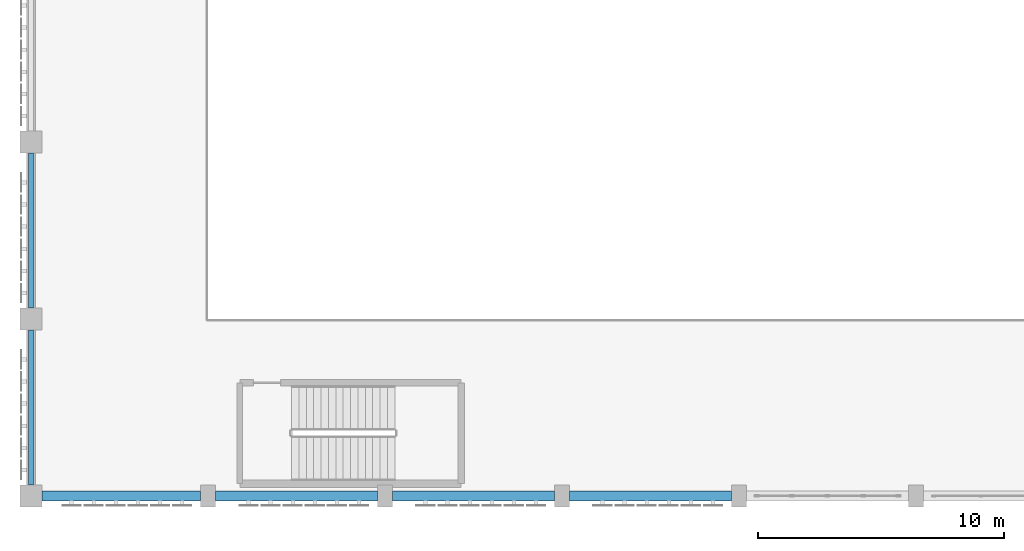
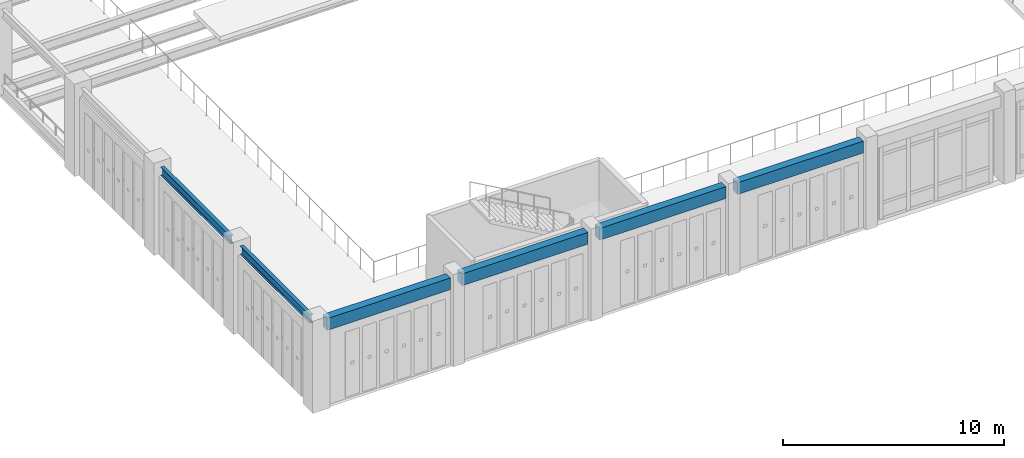
# One storey, part 13 of 117: 6 beams.
"""IFC4 building model written with IfcOpenShell, lengths in metres."""

from ifc_helpers import new_model, si_unit, direction, frame, origin, origin_2d, place, context, subcontext, project, spatial, rectangle, i_section, extrude, material, material_profile, profile_set, type_object, element, save


model = new_model("IFC4")

# Units and contexts
model_context = context("Model", 3, precision=1e-05, world=origin(), true_north=direction((0.0, 1.0)))
body_context = subcontext(model_context, "Body", "Model", "MODEL_VIEW")
ifc_project = project(units=[si_unit("LENGTHUNIT", "METRE"), si_unit("AREAUNIT", "SQUARE_METRE"), si_unit("VOLUMEUNIT", "CUBIC_METRE"), si_unit("PLANEANGLEUNIT", "RADIAN"), si_unit("MASSUNIT", "GRAM", prefix="KILO")], contexts=[model_context])

# Site, building, storey
site_placement = place(None, origin())
site = spatial("IfcSite", under=ifc_project, at=site_placement, CompositionType="ELEMENT")
building_placement = place(site_placement, origin())
building = spatial("IfcBuilding", under=site, at=building_placement, Name="Carrowvane Square Congress Hotel", CompositionType="ELEMENT")
storey_placement = place(building_placement, frame((0.0, 0.0, 5.39990234375)))
storey = spatial("IfcBuildingStorey", under=building, at=storey_placement, Name="L01", CompositionType="ELEMENT", Elevation=5.39990234375)

# Beams
ifc_material_1 = material(Name="Steel S355", Category="steel")
ifc_material_profile_1 = material_profile(ifc_material_1, i_section(OverallWidth=0.19140625, OverallDepth=0.4599609375, WebThickness=0.010009765625, FlangeThickness=0.01611328125, FilletRadius=0.01025390625, at=origin_2d()), Name="UKB 457x191x82")
ifc_profile_set_1 = profile_set([ifc_material_profile_1], Name="Steel S355")
beam_type_1 = type_object("IfcBeamType", Name="BM-ST-UKB457", PredefinedType="SPANDREL", material=ifc_profile_set_1)
beam_1_placement = place(storey_placement, frame((11.60009765625, 5.85009765625, 4.550048828125), z_axis=(0.0, 1.0, 0.0), x_axis=(-1.0, 0.0, 0.0)))
element("IfcBeam", 1, at=beam_1_placement, inside=storey, type_object=beam_type_1, Name="L02 girder 1/A-B", PredefinedType="SPANDREL", context=body_context, shape_type="SweptSolid", body=[
    extrude(i_section(OverallWidth=0.19140625, OverallDepth=0.4599609375, WebThickness=0.010009765625, FlangeThickness=0.01611328125, FilletRadius=0.01025390625, at=origin_2d()), origin(), (0.0, 0.0, 1.0), 6.2998046875),
])
beam_2_placement = place(storey_placement, frame((11.60009765625, 13.050048828125, 4.550048828125), z_axis=(0.0, 1.0, 0.0), x_axis=(-1.0, 0.0, 0.0)))
element("IfcBeam", 2, at=beam_2_placement, inside=storey, type_object=beam_type_1, Name="L02 girder 1/B-C", PredefinedType="SPANDREL", context=body_context, shape_type="SweptSolid", body=[
    extrude(i_section(OverallWidth=0.19140625, OverallDepth=0.4599609375, WebThickness=0.010009765625, FlangeThickness=0.01611328125, FilletRadius=0.01025390625, at=origin_2d()), origin(), (0.0, 0.0, 1.0), 6.300048828125),
])
ifc_material_2 = material(Name="Concrete C35/45", Category="concrete")
ifc_material_profile_2 = material_profile(ifc_material_2, rectangle(XDim=0.39990234375, YDim=0.64990234375, at=origin_2d()), Name="RC 400x650")
ifc_profile_set_2 = profile_set([ifc_material_profile_2], Name="Concrete C35/45")
beam_type_2 = type_object("IfcBeamType", Name="SP-RC-400x650", PredefinedType="SPANDREL", material=ifc_profile_set_2)
beam_3_placement = place(storey_placement, frame((12.050048828125, 5.39990234375, 4.455078125), z_axis=(1.0, 0.0, 0.0), x_axis=(0.0, 1.0, 0.0)))
element("IfcBeam", 3, at=beam_3_placement, inside=storey, type_object=beam_type_2, Name="L02 girder A/1-2", PredefinedType="SPANDREL", context=body_context, shape_type="SweptSolid", body=[
    extrude(rectangle(XDim=0.39990234375, YDim=0.64990234375, at=origin_2d()), origin(), (0.0, 0.0, 1.0), 6.449951171875),
])
for number, where, z_axis, x_axis, name in (
    (4, (19.10009765625, 5.39990234375, 4.455078125), (1.0, 0.0, 0.0), (0.0, 1.0, 0.0), "L02 girder A/2-3"),
    (5, (26.300048828125, 5.39990234375, 4.455078125), (1.0, 0.0, 0.0), (0.0, 1.0, 0.0), "L02 girder A/3-4"),
):
    element("IfcBeam", number, at=place(storey_placement, frame(where, z_axis=z_axis, x_axis=x_axis)), inside=storey, type_object=beam_type_2, Name=name, PredefinedType="SPANDREL", context=body_context, shape_type="SweptSolid", body=[
        extrude(rectangle(XDim=0.39990234375, YDim=0.64990234375, at=origin_2d()), origin(), (0.0, 0.0, 1.0), 6.599853515625),
    ])
beam_4_placement = place(storey_placement, frame((33.5, 5.39990234375, 4.455078125), z_axis=(1.0, 0.0, 0.0), x_axis=(0.0, 1.0, 0.0)))
element("IfcBeam", 6, at=beam_4_placement, inside=storey, type_object=beam_type_2, Name="L02 girder A/4-5", PredefinedType="SPANDREL", context=body_context, shape_type="SweptSolid", body=[
    extrude(rectangle(XDim=0.39990234375, YDim=0.64990234375, at=origin_2d()), origin(), (0.0, 0.0, 1.0), 6.60009765625),
])

save(model, "model.ifc")
